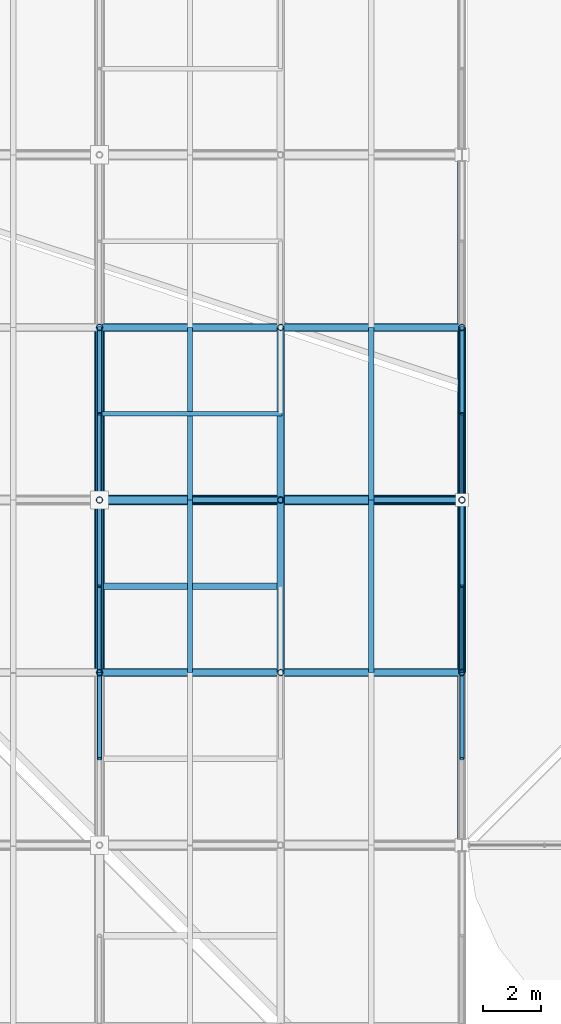
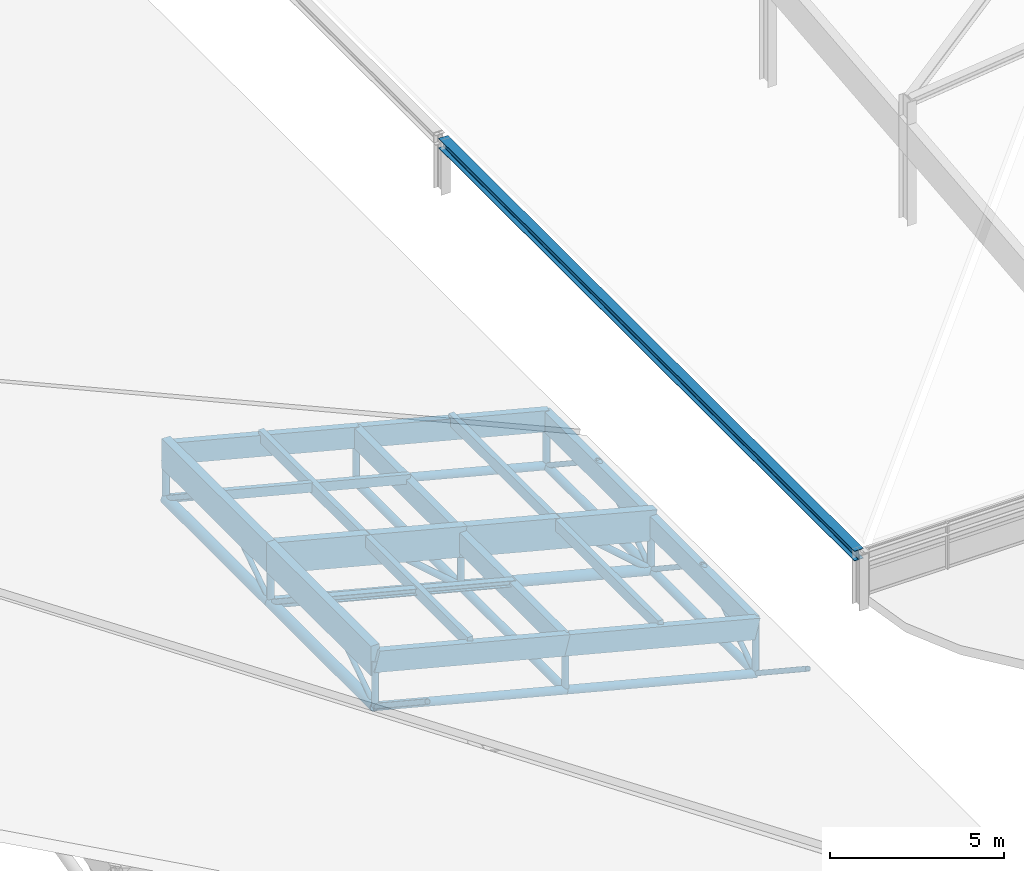
# One storey, part 34 of 80: 51 members, 1 beam.
"""IFC4 building model written with IfcOpenShell, lengths in metres."""

from ifc_helpers import new_model, si_unit, direction, frame, origin, origin_2d, place, context, subcontext, project, spatial, rectangle, hollow_circle, i_section, extrude, material, material_profile, profile_set, type_object, element, save


model = new_model("IFC4")

# Units and contexts
model_context = context("Model", 3, precision=1e-05, world=origin(), true_north=direction((0.0, 1.0)))
body_context = subcontext(model_context, "Body", "Model", "MODEL_VIEW")
ifc_project = project(units=[si_unit("LENGTHUNIT", "METRE"), si_unit("AREAUNIT", "SQUARE_METRE"), si_unit("VOLUMEUNIT", "CUBIC_METRE"), si_unit("PLANEANGLEUNIT", "RADIAN"), si_unit("MASSUNIT", "GRAM", prefix="KILO"), si_unit("THERMODYNAMICTEMPERATUREUNIT", "KELVIN"), si_unit("POWERUNIT", "WATT")], contexts=[model_context])

# Site, building, storey
site_placement = place(None, origin())
site = spatial("IfcSite", under=ifc_project, at=site_placement, CompositionType="ELEMENT")
building_placement = place(site_placement, origin())
building = spatial("IfcBuilding", under=site, at=building_placement, Name="Solmara Park Aquatics Centre", CompositionType="ELEMENT")
storey_placement = place(building_placement, frame((0.0, 0.0, 22.800048828125)))
storey = spatial("IfcBuildingStorey", under=building, at=storey_placement, Name="RF", CompositionType="ELEMENT", Elevation=22.800048828125)

# Beam
ifc_material_1 = material(Name="Structural Steel S355", Category="steel")
ifc_material_profile_1 = material_profile(ifc_material_1, i_section(OverallWidth=0.300048828125, OverallDepth=0.35009765625, WebThickness=0.010009765625, FlangeThickness=0.017578125, FilletRadius=0.027099609375, at=origin_2d()), Name="HEA 360")
ifc_profile_set_1 = profile_set([ifc_material_profile_1], Name="Structural Steel S355")
beam_type = type_object("IfcBeamType", Name="STR-BM-HEA360", PredefinedType="BEAM", material=ifc_profile_set_1)
beam_placement = place(storey_placement, frame((109.199951171875, 12.679931640625, -6.66015625), z_axis=(0.0, 1.0, 0.0), x_axis=(-1.0, 0.0, 0.0)))
element("IfcBeam", 1, at=beam_placement, inside=storey, type_object=beam_type, Name="Diving Clerestory End Ring Beam 109-12", PredefinedType="BEAM", context=body_context, shape_type="SweptSolid", body=[
    extrude(i_section(OverallWidth=0.300048828125, OverallDepth=0.35009765625, WebThickness=0.010009765625, FlangeThickness=0.017578125, FilletRadius=0.027099609375, at=origin_2d()), origin(), (0.0, 0.0, 1.0), 23.840087890625),
])

# Members
ifc_material_profile_2 = material_profile(ifc_material_1, hollow_circle(Radius=0.084228515625, WallThickness=0.008056640625, at=origin_2d()), Name="CHS 168.3x8")
ifc_profile_set_2 = profile_set([ifc_material_profile_2], Name="Structural Steel S355")
member_type_1 = type_object("IfcMemberType", Name="STR-BRC-CHS168", PredefinedType="BRACE", material=ifc_profile_set_2)
for number, where, z_axis, x_axis, name in (
    (2, (96.60009765625, 18.60009765625, -11.141357421875), (0.0, -0.834611904619, 0.550838423377), (1.0, 0.0, 0.0), "Roof Truss Web Diagonal Y 1901"),
    (3, (109.199951171875, 18.60009765625, -14.400146484375), (0.0, -0.834611904619, 0.550838423377), (1.0, 0.0, 0.0), "Roof Truss Web Diagonal Y 1903"),
    (4, (96.60009765625, 18.60009765625, -11.141357421875), (0.0, 0.834611904619, 0.550838423377), (-1.0, 0.0, 0.0), "Roof Truss Web Diagonal Y 1923"),
    (5, (96.60009765625, 24.60009765625, -11.141357421875), (0.0, -0.834611904619, 0.550838423377), (1.0, 0.0, 0.0), "Roof Truss Web Diagonal Y 1924"),
    (6, (109.199951171875, 18.60009765625, -14.400146484375), (0.0, 0.834611904619, 0.550838423377), (-1.0, 0.0, 0.0), "Roof Truss Web Diagonal Y 1925"),
    (7, (109.199951171875, 24.60009765625, -14.400146484375), (0.0, -0.834611904619, 0.550838423377), (1.0, 0.0, 0.0), "Roof Truss Web Diagonal Y 1926"),
    (8, (96.60009765625, 24.60009765625, -11.141357421875), (0.0, 0.834611904619, 0.550838423377), (-1.0, 0.0, 0.0), "Roof Truss Web Diagonal Y 1948"),
    (9, (96.60009765625, 30.60009765625, -11.141357421875), (0.0, -0.834611904619, 0.550838423377), (1.0, 0.0, 0.0), "Roof Truss Web Diagonal Y 1949"),
    (10, (109.199951171875, 24.60009765625, -14.400146484375), (0.0, 0.834611904619, 0.550838423377), (-1.0, 0.0, 0.0), "Roof Truss Web Diagonal Y 1950"),
    (11, (109.199951171875, 30.60009765625, -14.400146484375), (0.0, -0.834611904619, 0.550838423377), (1.0, 0.0, 0.0), "Roof Truss Web Diagonal Y 1951"),
):
    element("IfcMember", number, at=place(storey_placement, frame(where, z_axis=z_axis, x_axis=x_axis)), inside=storey, type_object=member_type_1, Name=name, PredefinedType="BRACE", context=body_context, shape_type="SweptSolid", body=[
        extrude(hollow_circle(Radius=0.084228515625, WallThickness=0.008056640625, at=origin_2d()), origin(), (0.0, 0.0, 1.0), 3.594482421875),
    ])
ifc_material_profile_3 = material_profile(ifc_material_1, hollow_circle(Radius=0.109619140625, WallThickness=0.010009765625, at=origin_2d()), Name="CHS 219.1x10")
ifc_profile_set_3 = profile_set([ifc_material_profile_3], Name="Structural Steel S355")
member_type_2 = type_object("IfcMemberType", Name="STR-BRC-CHS219", PredefinedType="BRACE", material=ifc_profile_set_3)
for number, where, z_axis, x_axis, name in (
    (12, (102.89990234375, 24.60009765625, -12.770751953125), (-0.752757378615, 0.0, 0.658298054791), (0.0, -1.0, 0.0), "Roof Truss Web Diagonal X 1808"),
    (13, (109.199951171875, 24.60009765625, -14.400146484375), (-0.752757378615, 0.0, 0.658298054791), (0.0, -1.0, 0.0), "Roof Truss Web Diagonal X 1832"),
):
    element("IfcMember", number, at=place(storey_placement, frame(where, z_axis=z_axis, x_axis=x_axis)), inside=storey, type_object=member_type_2, Name=name, PredefinedType="BRACE", context=body_context, shape_type="SweptSolid", body=[
        extrude(hollow_circle(Radius=0.109619140625, WallThickness=0.010009765625, at=origin_2d()), origin(), (0.0, 0.0, 1.0), 4.1845703125),
    ])
ifc_material_profile_4 = material_profile(ifc_material_1, hollow_circle(Radius=0.136474609375, WallThickness=0.012451171875, at=origin_2d()), Name="CHS 273x12.5")
ifc_profile_set_4 = profile_set([ifc_material_profile_4], Name="Structural Steel S355")
member_type_3 = type_object("IfcMemberType", Name="STR-CHD-CHS273", PredefinedType="CHORD", material=ifc_profile_set_4)
member_1_placement = place(storey_placement, frame((96.60009765625, 18.60009765625, -11.141357421875), z_axis=(0.968141893543, 0.0, -0.250402224365), x_axis=(0.0, 1.0, 0.0)))
element("IfcMember", 14, at=member_1_placement, inside=storey, type_object=member_type_3, Name="Steel Roof Truss Bottom Chord X 0142", PredefinedType="CHORD", context=body_context, shape_type="SweptSolid", body=[
    extrude(hollow_circle(Radius=0.136474609375, WallThickness=0.012451171875, at=origin_2d()), origin(), (0.0, 0.0, 1.0), 6.507080078125),
])
member_2_placement = place(storey_placement, frame((102.89990234375, 18.60009765625, -12.770751953125), z_axis=(0.968144245908, 0.0, -0.25039312913), x_axis=(0.0, 1.0, 0.0)))
element("IfcMember", 15, at=member_2_placement, inside=storey, type_object=member_type_3, Name="Steel Roof Truss Bottom Chord X 0144", PredefinedType="CHORD", context=body_context, shape_type="SweptSolid", body=[
    extrude(hollow_circle(Radius=0.136474609375, WallThickness=0.012451171875, at=origin_2d()), origin(), (0.0, 0.0, 1.0), 6.50732421875),
])
member_3_placement = place(storey_placement, frame((96.60009765625, 30.60009765625, -11.141357421875), z_axis=(0.968141893543, 0.0, -0.250402224365), x_axis=(0.0, 1.0, 0.0)))
element("IfcMember", 16, at=member_3_placement, inside=storey, type_object=member_type_3, Name="Steel Roof Truss Bottom Chord X 0214", PredefinedType="CHORD", context=body_context, shape_type="SweptSolid", body=[
    extrude(hollow_circle(Radius=0.136474609375, WallThickness=0.012451171875, at=origin_2d()), origin(), (0.0, 0.0, 1.0), 6.507080078125),
])
member_4_placement = place(storey_placement, frame((102.89990234375, 30.60009765625, -12.770751953125), z_axis=(0.968144245908, 0.0, -0.25039312913), x_axis=(0.0, 1.0, 0.0)))
element("IfcMember", 17, at=member_4_placement, inside=storey, type_object=member_type_3, Name="Steel Roof Truss Bottom Chord X 0216", PredefinedType="CHORD", context=body_context, shape_type="SweptSolid", body=[
    extrude(hollow_circle(Radius=0.136474609375, WallThickness=0.012451171875, at=origin_2d()), origin(), (0.0, 0.0, 1.0), 6.50732421875),
])
for number, where, z_axis, x_axis, name in (
    (18, (102.89990234375, 18.60009765625, -12.770751953125), (0.0, 1.0, 0.0), (-1.0, 0.0, 0.0), "Steel Roof Truss Bottom Chord Y 1024"),
    (19, (102.89990234375, 24.60009765625, -12.770751953125), (0.0, 1.0, 0.0), (-1.0, 0.0, 0.0), "Steel Roof Truss Bottom Chord Y 1026"),
    (20, (109.199951171875, 18.60009765625, -14.400146484375), (0.0, 1.0, 0.0), (-1.0, 0.0, 0.0), "Steel Roof Truss Bottom Chord Y 1052"),
    (21, (109.199951171875, 24.60009765625, -14.400146484375), (0.0, 1.0, 0.0), (-1.0, 0.0, 0.0), "Steel Roof Truss Bottom Chord Y 1054"),
):
    element("IfcMember", number, at=place(storey_placement, frame(where, z_axis=z_axis, x_axis=x_axis)), inside=storey, type_object=member_type_3, Name=name, PredefinedType="CHORD", context=body_context, shape_type="SweptSolid", body=[
        extrude(hollow_circle(Radius=0.136474609375, WallThickness=0.012451171875, at=origin_2d()), origin(), (0.0, 0.0, 1.0), 6.0),
    ])
ifc_material_profile_5 = material_profile(ifc_material_1, hollow_circle(Radius=0.177734375, WallThickness=0.01611328125, at=origin_2d()), Name="CHS 355.6x16")
ifc_profile_set_5 = profile_set([ifc_material_profile_5], Name="Structural Steel S355")
member_type_4 = type_object("IfcMemberType", Name="STR-CHD-CHS355", PredefinedType="CHORD", material=ifc_profile_set_5)
member_5_placement = place(storey_placement, frame((96.60009765625, 24.60009765625, -11.141357421875), z_axis=(0.968141893543, 0.0, -0.250402224365), x_axis=(0.0, 1.0, 0.0)))
element("IfcMember", 22, at=member_5_placement, inside=storey, type_object=member_type_4, Name="Steel Roof Truss Bottom Chord X 0178", PredefinedType="CHORD", context=body_context, shape_type="SweptSolid", body=[
    extrude(hollow_circle(Radius=0.177734375, WallThickness=0.01611328125, at=origin_2d()), origin(), (0.0, 0.0, 1.0), 6.507080078125),
])
member_6_placement = place(storey_placement, frame((102.89990234375, 24.60009765625, -12.770751953125), z_axis=(0.968144245908, 0.0, -0.25039312913), x_axis=(0.0, 1.0, 0.0)))
element("IfcMember", 23, at=member_6_placement, inside=storey, type_object=member_type_4, Name="Steel Roof Truss Bottom Chord X 0180", PredefinedType="CHORD", context=body_context, shape_type="SweptSolid", body=[
    extrude(hollow_circle(Radius=0.177734375, WallThickness=0.01611328125, at=origin_2d()), origin(), (0.0, 0.0, 1.0), 6.50732421875),
])
for number, where, z_axis, x_axis, name in (
    (24, (96.60009765625, 18.60009765625, -11.141357421875), (0.0, 1.0, 0.0), (-1.0, 0.0, 0.0), "Steel Roof Truss Bottom Chord Y 0996"),
    (25, (96.60009765625, 24.60009765625, -11.141357421875), (0.0, 1.0, 0.0), (-1.0, 0.0, 0.0), "Steel Roof Truss Bottom Chord Y 0998"),
):
    element("IfcMember", number, at=place(storey_placement, frame(where, z_axis=z_axis, x_axis=x_axis)), inside=storey, type_object=member_type_4, Name=name, PredefinedType="CHORD", context=body_context, shape_type="SweptSolid", body=[
        extrude(hollow_circle(Radius=0.177734375, WallThickness=0.01611328125, at=origin_2d()), origin(), (0.0, 0.0, 1.0), 6.0),
    ])
ifc_material_2 = material(Name="Glulam Timber GL28h", Category="wood")
ifc_material_profile_6 = material_profile(ifc_material_2, rectangle(XDim=0.239990234375, YDim=0.719970703125, at=origin_2d()), Name="GL28h 240x720")
ifc_profile_set_6 = profile_set([ifc_material_profile_6], Name="Glulam Timber GL28h")
member_type_5 = type_object("IfcMemberType", Name="STR-CHD-GL240x720", PredefinedType="CHORD", material=ifc_profile_set_6)
member_7_placement = place(storey_placement, frame((96.60009765625, 18.60009765625, -9.521484375), z_axis=(0.968150988544, 0.0, -0.250367057299), x_axis=(0.0, 1.0, 0.0)))
element("IfcMember", 26, at=member_7_placement, inside=storey, type_object=member_type_5, Name="Glulam Roof Truss Top Chord X 0141", PredefinedType="CHORD", context=body_context, shape_type="SweptSolid", body=[
    extrude(rectangle(XDim=0.239990234375, YDim=0.719970703125, at=origin_2d()), origin(), (0.0, 0.0, 1.0), 6.507080078125),
])
member_8_placement = place(storey_placement, frame((102.89990234375, 18.60009765625, -11.150634765625), z_axis=(0.968144245908, 0.0, -0.25039312913), x_axis=(0.0, 1.0, 0.0)))
element("IfcMember", 27, at=member_8_placement, inside=storey, type_object=member_type_5, Name="Glulam Roof Truss Top Chord X 0143", PredefinedType="CHORD", context=body_context, shape_type="SweptSolid", body=[
    extrude(rectangle(XDim=0.239990234375, YDim=0.719970703125, at=origin_2d()), origin(), (0.0, 0.0, 1.0), 6.50732421875),
])
member_9_placement = place(storey_placement, frame((96.60009765625, 30.60009765625, -9.521484375), z_axis=(0.968150988544, 0.0, -0.250367057299), x_axis=(0.0, 1.0, 0.0)))
element("IfcMember", 28, at=member_9_placement, inside=storey, type_object=member_type_5, Name="Glulam Roof Truss Top Chord X 0213", PredefinedType="CHORD", context=body_context, shape_type="SweptSolid", body=[
    extrude(rectangle(XDim=0.239990234375, YDim=0.719970703125, at=origin_2d()), origin(), (0.0, 0.0, 1.0), 6.507080078125),
])
member_10_placement = place(storey_placement, frame((102.89990234375, 30.60009765625, -11.150634765625), z_axis=(0.968144245908, 0.0, -0.25039312913), x_axis=(0.0, 1.0, 0.0)))
element("IfcMember", 29, at=member_10_placement, inside=storey, type_object=member_type_5, Name="Glulam Roof Truss Top Chord X 0215", PredefinedType="CHORD", context=body_context, shape_type="SweptSolid", body=[
    extrude(rectangle(XDim=0.239990234375, YDim=0.719970703125, at=origin_2d()), origin(), (0.0, 0.0, 1.0), 6.50732421875),
])
for number, where, z_axis, x_axis, name in (
    (30, (102.89990234375, 18.60009765625, -11.150634765625), (0.0, 1.0, 0.0), (-1.0, 0.0, 0.0), "Glulam Roof Truss Top Chord Y 1023"),
    (31, (102.89990234375, 24.60009765625, -11.150634765625), (0.0, 1.0, 0.0), (-1.0, 0.0, 0.0), "Glulam Roof Truss Top Chord Y 1025"),
    (32, (109.199951171875, 18.60009765625, -12.780029296875), (0.0, 1.0, 0.0), (-1.0, 0.0, 0.0), "Glulam Roof Truss Top Chord Y 1051"),
    (33, (109.199951171875, 24.60009765625, -12.780029296875), (0.0, 1.0, 0.0), (-1.0, 0.0, 0.0), "Glulam Roof Truss Top Chord Y 1053"),
):
    element("IfcMember", number, at=place(storey_placement, frame(where, z_axis=z_axis, x_axis=x_axis)), inside=storey, type_object=member_type_5, Name=name, PredefinedType="CHORD", context=body_context, shape_type="SweptSolid", body=[
        extrude(rectangle(XDim=0.239990234375, YDim=0.719970703125, at=origin_2d()), origin(), (0.0, 0.0, 1.0), 6.0),
    ])
ifc_material_profile_7 = material_profile(ifc_material_2, rectangle(XDim=0.280029296875, YDim=1.0400390625, at=origin_2d()), Name="GL28h 280x1040")
ifc_profile_set_7 = profile_set([ifc_material_profile_7], Name="Glulam Timber GL28h")
member_type_6 = type_object("IfcMemberType", Name="STR-CHD-GL280x1040", PredefinedType="CHORD", material=ifc_profile_set_7)
member_11_placement = place(storey_placement, frame((96.60009765625, 24.60009765625, -9.521484375), z_axis=(0.968150988544, 0.0, -0.250367057299), x_axis=(0.0, 1.0, 0.0)))
element("IfcMember", 34, at=member_11_placement, inside=storey, type_object=member_type_6, Name="Glulam Roof Truss Top Chord X 0177", PredefinedType="CHORD", context=body_context, shape_type="SweptSolid", body=[
    extrude(rectangle(XDim=0.280029296875, YDim=1.0400390625, at=origin_2d()), origin(), (0.0, 0.0, 1.0), 6.507080078125),
])
member_12_placement = place(storey_placement, frame((102.89990234375, 24.60009765625, -11.150634765625), z_axis=(0.968144245908, 0.0, -0.25039312913), x_axis=(0.0, 1.0, 0.0)))
element("IfcMember", 35, at=member_12_placement, inside=storey, type_object=member_type_6, Name="Glulam Roof Truss Top Chord X 0179", PredefinedType="CHORD", context=body_context, shape_type="SweptSolid", body=[
    extrude(rectangle(XDim=0.280029296875, YDim=1.0400390625, at=origin_2d()), origin(), (0.0, 0.0, 1.0), 6.50732421875),
])
for number, where, z_axis, x_axis, name in (
    (36, (96.60009765625, 18.60009765625, -9.521484375), (0.0, 1.0, 0.0), (-1.0, 0.0, 0.0), "Glulam Roof Truss Top Chord Y 0995"),
    (37, (96.60009765625, 24.60009765625, -9.521484375), (0.0, 1.0, 0.0), (-1.0, 0.0, 0.0), "Glulam Roof Truss Top Chord Y 0997"),
):
    element("IfcMember", number, at=place(storey_placement, frame(where, z_axis=z_axis, x_axis=x_axis)), inside=storey, type_object=member_type_6, Name=name, PredefinedType="CHORD", context=body_context, shape_type="SweptSolid", body=[
        extrude(rectangle(XDim=0.280029296875, YDim=1.0400390625, at=origin_2d()), origin(), (0.0, 0.0, 1.0), 6.0),
    ])
ifc_material_profile_8 = material_profile(ifc_material_2, rectangle(XDim=0.159912109375, YDim=0.320068359375, at=origin_2d()), Name="GL28h 160x320")
ifc_profile_set_8 = profile_set([ifc_material_profile_8], Name="Glulam Timber GL28h")
member_type_7 = type_object("IfcMemberType", Name="STR-PRL-GL160x320", PredefinedType="PURLIN", material=ifc_profile_set_8)
member_13_placement = place(storey_placement, frame((96.60009765625, 27.60009765625, -9.181396484375), z_axis=(0.968141893543, 0.0, -0.250402224365), x_axis=(0.0, 1.0, 0.0)))
element("IfcMember", 38, at=member_13_placement, inside=storey, type_object=member_type_7, Name="Glulam Secondary Roof Purlin 1935", PredefinedType="PURLIN", context=body_context, shape_type="SweptSolid", body=[
    extrude(rectangle(XDim=0.159912109375, YDim=0.320068359375, at=origin_2d()), origin(), (0.0, 0.0, 1.0), 6.507080078125),
])
ifc_material_profile_9 = material_profile(ifc_material_2, rectangle(XDim=0.179931640625, YDim=0.39990234375, at=origin_2d()), Name="GL28h 180x400")
ifc_profile_set_9 = profile_set([ifc_material_profile_9], Name="Glulam Timber GL28h")
member_type_8 = type_object("IfcMemberType", Name="STR-PRL-GL180x400", PredefinedType="PURLIN", material=ifc_profile_set_9)
for number, where, z_axis, x_axis, name in (
    (39, (99.75, 18.60009765625, -10.01611328125), (0.0, 1.0, 0.0), (-1.0, 0.0, 0.0), "Glulam Roof Purlin 1794"),
    (40, (99.75, 24.60009765625, -10.01611328125), (0.0, 1.0, 0.0), (-1.0, 0.0, 0.0), "Glulam Roof Purlin 1795"),
    (41, (106.050048828125, 18.60009765625, -11.6455078125), (0.0, 1.0, 0.0), (-1.0, 0.0, 0.0), "Glulam Roof Purlin 1818"),
    (42, (106.050048828125, 24.60009765625, -11.6455078125), (0.0, 1.0, 0.0), (-1.0, 0.0, 0.0), "Glulam Roof Purlin 1819"),
):
    element("IfcMember", number, at=place(storey_placement, frame(where, z_axis=z_axis, x_axis=x_axis)), inside=storey, type_object=member_type_8, Name=name, PredefinedType="PURLIN", context=body_context, shape_type="SweptSolid", body=[
        extrude(rectangle(XDim=0.179931640625, YDim=0.39990234375, at=origin_2d()), origin(), (0.0, 0.0, 1.0), 6.0),
    ])
ifc_material_profile_10 = material_profile(ifc_material_1, i_section(OverallWidth=0.219970703125, OverallDepth=0.2099609375, WebThickness=0.007080078125, FlangeThickness=0.010986328125, FilletRadius=0.01806640625, at=origin_2d()), Name="HEA 220")
ifc_profile_set_10 = profile_set([ifc_material_profile_10], Name="Structural Steel S355")
member_type_9 = type_object("IfcMemberType", Name="STR-PRL-HEA220", PredefinedType="PURLIN", material=ifc_profile_set_10)
member_14_placement = place(storey_placement, frame((96.60009765625, 21.60009765625, -9.181396484375), z_axis=(0.968141893543, 0.0, -0.250402224365), x_axis=(0.0, 1.0, 0.0)))
element("IfcMember", 43, at=member_14_placement, inside=storey, type_object=member_type_9, Name="Glulam Secondary Roof Purlin 1912", PredefinedType="PURLIN", context=body_context, shape_type="SweptSolid", body=[
    extrude(i_section(OverallWidth=0.219970703125, OverallDepth=0.2099609375, WebThickness=0.007080078125, FlangeThickness=0.010986328125, FilletRadius=0.01806640625, at=origin_2d()), origin(), (0.0, 0.0, 1.0), 6.507080078125),
])
ifc_material_profile_11 = material_profile(ifc_material_1, hollow_circle(Radius=0.109619140625, WallThickness=0.010009765625, at=origin_2d()), Name="CHS 219.1x10")
ifc_profile_set_11 = profile_set([ifc_material_profile_11], Name="Structural Steel S355")
member_type_10 = type_object("IfcMemberType", Name="STR-PST-CHS219", PredefinedType="POST", material=ifc_profile_set_11)
for number, where, z_axis, x_axis, name in (
    (44, (96.60009765625, 18.60009765625, -11.141357421875), (0.0, 0.0, 1.0), (1.0, 0.0, 0.0), "Roof Truss Web Post 1309"),
    (45, (96.60009765625, 24.60009765625, -11.141357421875), (0.0, 0.0, 1.0), (1.0, 0.0, 0.0), "Roof Truss Web Post 1310"),
    (46, (96.60009765625, 30.60009765625, -11.141357421875), (0.0, 0.0, 1.0), (1.0, 0.0, 0.0), "Roof Truss Web Post 1311"),
):
    element("IfcMember", number, at=place(storey_placement, frame(where, z_axis=z_axis, x_axis=x_axis)), inside=storey, type_object=member_type_10, Name=name, PredefinedType="POST", context=body_context, shape_type="SweptSolid", body=[
        extrude(hollow_circle(Radius=0.109619140625, WallThickness=0.010009765625, at=origin_2d()), origin(), (0.0, 0.0, 1.0), 1.619873046875),
    ])
for number, where, z_axis, x_axis, name in (
    (47, (102.89990234375, 18.60009765625, -12.770751953125), (0.0, 0.0, 1.0), (1.0, 0.0, 0.0), "Roof Truss Web Post 1324"),
    (48, (102.89990234375, 24.60009765625, -12.770751953125), (0.0, 0.0, 1.0), (1.0, 0.0, 0.0), "Roof Truss Web Post 1325"),
    (49, (102.89990234375, 30.60009765625, -12.770751953125), (0.0, 0.0, 1.0), (1.0, 0.0, 0.0), "Roof Truss Web Post 1326"),
    (50, (109.199951171875, 18.60009765625, -14.400146484375), (0.0, 0.0, 1.0), (1.0, 0.0, 0.0), "Roof Truss Web Post 1338"),
    (51, (109.199951171875, 24.60009765625, -14.400146484375), (0.0, 0.0, 1.0), (1.0, 0.0, 0.0), "Roof Truss Web Post 1339"),
    (52, (109.199951171875, 30.60009765625, -14.400146484375), (0.0, 0.0, 1.0), (1.0, 0.0, 0.0), "Roof Truss Web Post 1340"),
):
    element("IfcMember", number, at=place(storey_placement, frame(where, z_axis=z_axis, x_axis=x_axis)), inside=storey, type_object=member_type_10, Name=name, PredefinedType="POST", context=body_context, shape_type="SweptSolid", body=[
        extrude(hollow_circle(Radius=0.109619140625, WallThickness=0.010009765625, at=origin_2d()), origin(), (0.0, 0.0, 1.0), 1.6201171875),
    ])

save(model, "model.ifc")
